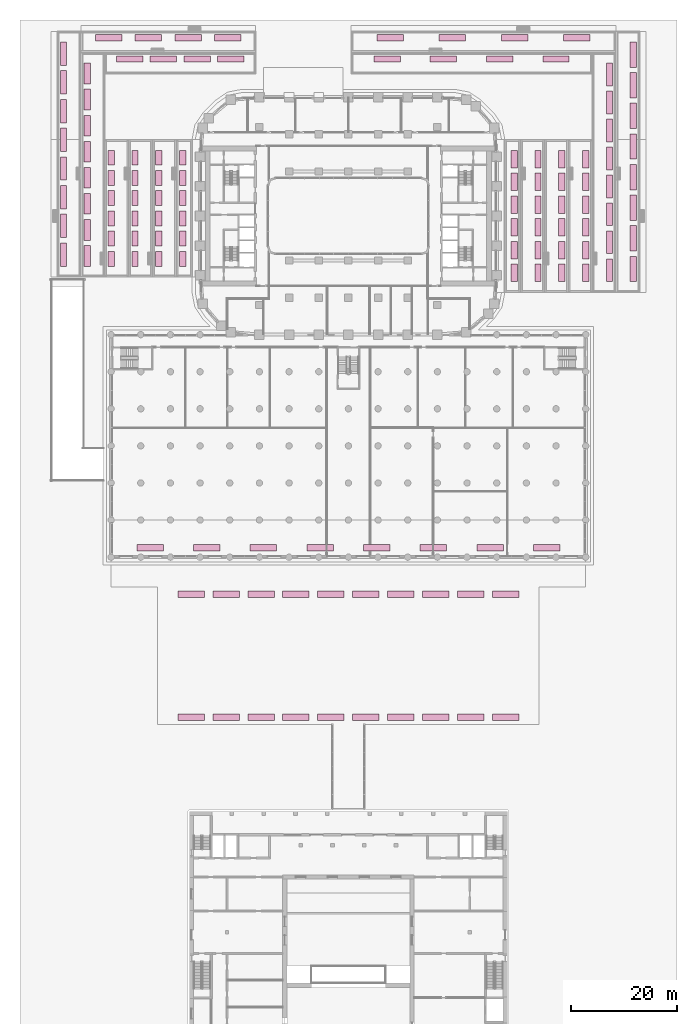
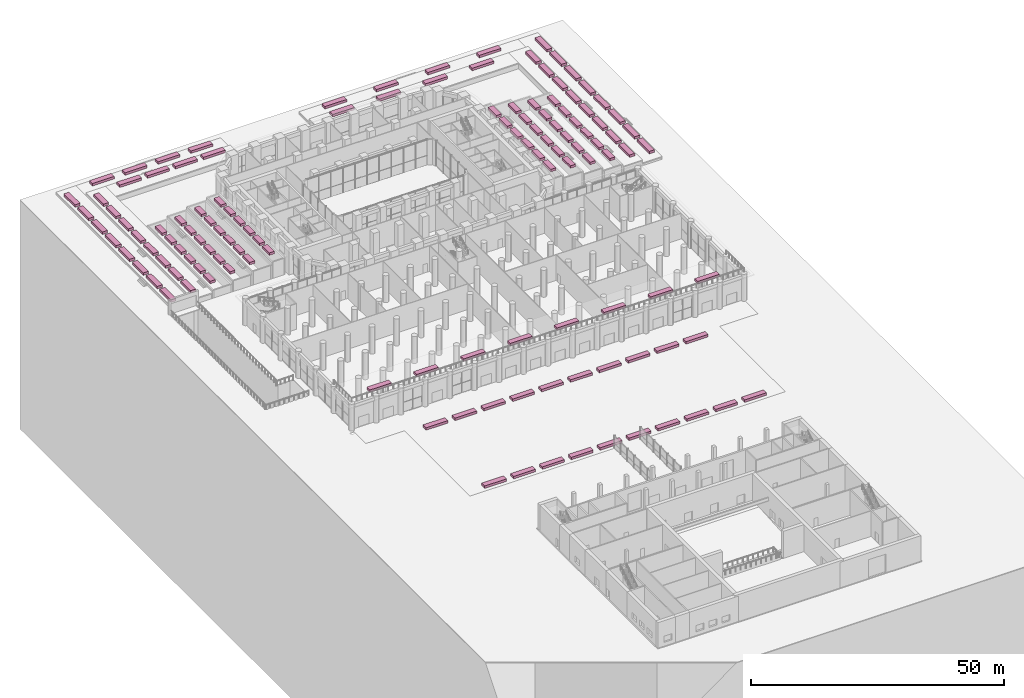
# One storey, part 51 of 51: 124 furnishings.
"""IFC4 building model written with IfcOpenShell, lengths in metres."""

from ifc_helpers import new_model, si_unit, direction, frame, origin, origin_2d, place, context, subcontext, project, spatial, rectangle, extrude, material, type_object, element, save


model = new_model("IFC4")

# Units and contexts
model_context = context("Model", 3, precision=1e-05, world=origin(), true_north=direction((0.0, 1.0)))
body_context = subcontext(model_context, "Body", "Model", "MODEL_VIEW")
ifc_project = project(units=[si_unit("LENGTHUNIT", "METRE"), si_unit("AREAUNIT", "SQUARE_METRE"), si_unit("VOLUMEUNIT", "CUBIC_METRE"), si_unit("PLANEANGLEUNIT", "RADIAN"), si_unit("MASSUNIT", "GRAM", prefix="KILO")], contexts=[model_context])

# Site, building, storey
site_placement = place(None, origin())
site = spatial("IfcSite", under=ifc_project, at=site_placement, CompositionType="ELEMENT")
building_placement = place(site_placement, origin())
building = spatial("IfcBuilding", under=site, at=building_placement, Name="Kiln Ring Residences", CompositionType="ELEMENT")
storey_placement = place(building_placement, origin())
storey = spatial("IfcBuildingStorey", under=building, at=storey_placement, Name="L00", CompositionType="ELEMENT", Elevation=0.0)

# Furnishings
ifc_material = material(Name="Brick masonry, dark clay brick", Category="masonry")
furnishing_element_type = type_object("IfcFurnishingElementType", Name="PLANTER 1200 x 600", material=ifc_material)
for number, where, z_axis, x_axis, name in (
    (1, (-37.449951171875, -62.60009765625, 6.5), (0.0, 0.0, 1.0), (1.0, 0.0, 0.0), "PLANTER L00 1"),
    (2, (-26.75, -62.60009765625, 6.5), (0.0, 0.0, 1.0), (1.0, 0.0, 0.0), "PLANTER L00 2"),
    (3, (-16.050048828125, -62.60009765625, 6.5), (0.0, 0.0, 1.0), (1.0, 0.0, 0.0), "PLANTER L00 3"),
    (4, (-5.35009765625, -62.60009765625, 6.5), (0.0, 0.0, 1.0), (1.0, 0.0, 0.0), "PLANTER L00 4"),
    (5, (5.35009765625, -62.60009765625, 6.5), (0.0, 0.0, 1.0), (1.0, 0.0, 0.0), "PLANTER L00 5"),
    (6, (16.050048828125, -62.60009765625, 6.5), (0.0, 0.0, 1.0), (1.0, 0.0, 0.0), "PLANTER L00 6"),
    (7, (26.75, -62.60009765625, 6.5), (0.0, 0.0, 1.0), (1.0, 0.0, 0.0), "PLANTER L00 7"),
    (8, (37.449951171875, -62.60009765625, 6.5), (0.0, 0.0, 1.0), (1.0, 0.0, 0.0), "PLANTER L00 8"),
    (9, (-29.699951171875, -71.39990234375, 0.0), (0.0, 0.0, 1.0), (1.0, 0.0, 0.0), "PLANTER L00 1"),
    (10, (-23.10009765625, -71.39990234375, 0.0), (0.0, 0.0, 1.0), (1.0, 0.0, 0.0), "PLANTER L00 2"),
    (11, (-16.5, -71.39990234375, 0.0), (0.0, 0.0, 1.0), (1.0, 0.0, 0.0), "PLANTER L00 3"),
    (12, (-9.89990234375, -71.39990234375, 0.0), (0.0, 0.0, 1.0), (1.0, 0.0, 0.0), "PLANTER L00 4"),
    (13, (-3.300048828125, -71.39990234375, 0.0), (0.0, 0.0, 1.0), (1.0, 0.0, 0.0), "PLANTER L00 5"),
    (14, (3.300048828125, -71.39990234375, 0.0), (0.0, 0.0, 1.0), (1.0, 0.0, 0.0), "PLANTER L00 6"),
    (15, (9.89990234375, -71.39990234375, 0.0), (0.0, 0.0, 1.0), (1.0, 0.0, 0.0), "PLANTER L00 7"),
    (16, (16.5, -71.39990234375, 0.0), (0.0, 0.0, 1.0), (1.0, 0.0, 0.0), "PLANTER L00 8"),
    (17, (23.10009765625, -71.39990234375, 0.0), (0.0, 0.0, 1.0), (1.0, 0.0, 0.0), "PLANTER L00 9"),
    (18, (29.699951171875, -71.39990234375, 0.0), (0.0, 0.0, 1.0), (1.0, 0.0, 0.0), "PLANTER L00 10"),
    (19, (-29.699951171875, -94.60009765625, 0.0), (0.0, 0.0, 1.0), (1.0, 0.0, 0.0), "PLANTER L00 1"),
    (20, (-23.10009765625, -94.60009765625, 0.0), (0.0, 0.0, 1.0), (1.0, 0.0, 0.0), "PLANTER L00 2"),
    (21, (-16.5, -94.60009765625, 0.0), (0.0, 0.0, 1.0), (1.0, 0.0, 0.0), "PLANTER L00 3"),
    (22, (-9.89990234375, -94.60009765625, 0.0), (0.0, 0.0, 1.0), (1.0, 0.0, 0.0), "PLANTER L00 4"),
    (23, (-3.300048828125, -94.60009765625, 0.0), (0.0, 0.0, 1.0), (1.0, 0.0, 0.0), "PLANTER L00 5"),
    (24, (3.300048828125, -94.60009765625, 0.0), (0.0, 0.0, 1.0), (1.0, 0.0, 0.0), "PLANTER L00 6"),
    (25, (9.89990234375, -94.60009765625, 0.0), (0.0, 0.0, 1.0), (1.0, 0.0, 0.0), "PLANTER L00 7"),
    (26, (16.5, -94.60009765625, 0.0), (0.0, 0.0, 1.0), (1.0, 0.0, 0.0), "PLANTER L00 8"),
    (27, (23.10009765625, -94.60009765625, 0.0), (0.0, 0.0, 1.0), (1.0, 0.0, 0.0), "PLANTER L00 9"),
    (28, (29.699951171875, -94.60009765625, 0.0), (0.0, 0.0, 1.0), (1.0, 0.0, 0.0), "PLANTER L00 10"),
):
    element("IfcFurnishingElement", number, at=place(storey_placement, frame(where, z_axis=z_axis, x_axis=x_axis)), inside=storey, type_object=furnishing_element_type, Name=name, ObjectType="PLANTER", context=body_context, shape_type="SweptSolid", body=[
        extrude(rectangle(XDim=5.0, YDim=1.199951171875, at=origin_2d()), origin(), (0.0, 0.0, 1.0), 0.60009765625),
    ])
for number, where, z_axis, x_axis, name in (
    (29, (31.300048828125, -10.75, 4.199951171875), (0.0, 0.0, 1.0), (1.0, 0.0, 0.0), "PLANTER L00 1"),
    (30, (31.300048828125, -6.449951171875, 4.199951171875), (0.0, 0.0, 1.0), (1.0, 0.0, 0.0), "PLANTER L00 2"),
    (31, (31.300048828125, -2.14990234375, 4.199951171875), (0.0, 0.0, 1.0), (1.0, 0.0, 0.0), "PLANTER L00 3"),
    (32, (31.300048828125, 2.14990234375, 4.199951171875), (0.0, 0.0, 1.0), (1.0, 0.0, 0.0), "PLANTER L00 4"),
    (33, (31.300048828125, 6.449951171875, 4.199951171875), (0.0, 0.0, 1.0), (1.0, 0.0, 0.0), "PLANTER L00 5"),
    (34, (31.300048828125, 10.75, 4.199951171875), (0.0, 0.0, 1.0), (1.0, 0.0, 0.0), "PLANTER L00 6"),
    (35, (35.800048828125, -10.75, 3.5), (0.0, 0.0, 1.0), (1.0, 0.0, 0.0), "PLANTER L00 1"),
    (36, (35.800048828125, -6.449951171875, 3.5), (0.0, 0.0, 1.0), (1.0, 0.0, 0.0), "PLANTER L00 2"),
    (37, (35.800048828125, -2.14990234375, 3.5), (0.0, 0.0, 1.0), (1.0, 0.0, 0.0), "PLANTER L00 3"),
    (38, (35.800048828125, 2.14990234375, 3.5), (0.0, 0.0, 1.0), (1.0, 0.0, 0.0), "PLANTER L00 4"),
    (39, (35.800048828125, 6.449951171875, 3.5), (0.0, 0.0, 1.0), (1.0, 0.0, 0.0), "PLANTER L00 5"),
    (40, (35.800048828125, 10.75, 3.5), (0.0, 0.0, 1.0), (1.0, 0.0, 0.0), "PLANTER L00 6"),
    (41, (40.300048828125, -10.75, 2.800048828125), (0.0, 0.0, 1.0), (1.0, 0.0, 0.0), "PLANTER L00 1"),
    (42, (40.300048828125, -6.449951171875, 2.800048828125), (0.0, 0.0, 1.0), (1.0, 0.0, 0.0), "PLANTER L00 2"),
    (43, (40.300048828125, -2.14990234375, 2.800048828125), (0.0, 0.0, 1.0), (1.0, 0.0, 0.0), "PLANTER L00 3"),
    (44, (40.300048828125, 2.14990234375, 2.800048828125), (0.0, 0.0, 1.0), (1.0, 0.0, 0.0), "PLANTER L00 4"),
    (45, (40.300048828125, 6.449951171875, 2.800048828125), (0.0, 0.0, 1.0), (1.0, 0.0, 0.0), "PLANTER L00 5"),
    (46, (40.300048828125, 10.75, 2.800048828125), (0.0, 0.0, 1.0), (1.0, 0.0, 0.0), "PLANTER L00 6"),
    (47, (44.800048828125, -10.75, 2.099853515625), (0.0, 0.0, 1.0), (1.0, 0.0, 0.0), "PLANTER L00 1"),
    (48, (44.800048828125, -6.449951171875, 2.099853515625), (0.0, 0.0, 1.0), (1.0, 0.0, 0.0), "PLANTER L00 2"),
    (49, (44.800048828125, -2.14990234375, 2.099853515625), (0.0, 0.0, 1.0), (1.0, 0.0, 0.0), "PLANTER L00 3"),
    (50, (44.800048828125, 2.14990234375, 2.099853515625), (0.0, 0.0, 1.0), (1.0, 0.0, 0.0), "PLANTER L00 4"),
    (51, (44.800048828125, 6.449951171875, 2.099853515625), (0.0, 0.0, 1.0), (1.0, 0.0, 0.0), "PLANTER L00 5"),
    (52, (44.800048828125, 10.75, 2.099853515625), (0.0, 0.0, 1.0), (1.0, 0.0, 0.0), "PLANTER L00 6"),
):
    element("IfcFurnishingElement", number, at=place(storey_placement, frame(where, z_axis=z_axis, x_axis=x_axis)), inside=storey, type_object=furnishing_element_type, Name=name, ObjectType="PLANTER", context=body_context, shape_type="SweptSolid", body=[
        extrude(rectangle(XDim=1.199951171875, YDim=3.300048828125, at=origin_2d()), origin(), (0.0, 0.0, 1.0), 0.60009765625),
    ])
for number, where, z_axis, x_axis, name in (
    (53, (49.300048828125, -10.25927734375, 1.39990234375), (0.0, 0.0, 1.0), (1.0, 0.0, 0.0), "PLANTER L00 1"),
    (54, (49.300048828125, -4.97802734375, 1.39990234375), (0.0, 0.0, 1.0), (1.0, 0.0, 0.0), "PLANTER L00 2"),
    (55, (49.300048828125, 0.30322265625, 1.39990234375), (0.0, 0.0, 1.0), (1.0, 0.0, 0.0), "PLANTER L00 3"),
    (56, (49.300048828125, 5.58447265625, 1.39990234375), (0.0, 0.0, 1.0), (1.0, 0.0, 0.0), "PLANTER L00 4"),
    (57, (49.300048828125, 10.86572265625, 1.39990234375), (0.0, 0.0, 1.0), (1.0, 0.0, 0.0), "PLANTER L00 5"),
    (58, (49.300048828125, 16.14697265625, 1.39990234375), (0.0, 0.0, 1.0), (1.0, 0.0, 0.0), "PLANTER L00 6"),
    (59, (49.300048828125, 21.42822265625, 1.39990234375), (0.0, 0.0, 1.0), (1.0, 0.0, 0.0), "PLANTER L00 7"),
    (60, (49.300048828125, 26.70947265625, 1.39990234375), (0.0, 0.0, 1.0), (1.0, 0.0, 0.0), "PLANTER L00 8"),
):
    element("IfcFurnishingElement", number, at=place(storey_placement, frame(where, z_axis=z_axis, x_axis=x_axis)), inside=storey, type_object=furnishing_element_type, Name=name, ObjectType="PLANTER", context=body_context, shape_type="SweptSolid", body=[
        extrude(rectangle(XDim=1.199951171875, YDim=4.28125, at=origin_2d()), origin(), (0.0, 0.0, 1.0), 0.60009765625),
    ])
for number, where, z_axis, x_axis, name in (
    (61, (53.800048828125, -10.00927734375, 0.699951171875), (0.0, 0.0, 1.0), (1.0, 0.0, 0.0), "PLANTER L00 1"),
    (62, (53.800048828125, -4.22802734375, 0.699951171875), (0.0, 0.0, 1.0), (1.0, 0.0, 0.0), "PLANTER L00 2"),
    (63, (53.800048828125, 1.55322265625, 0.699951171875), (0.0, 0.0, 1.0), (1.0, 0.0, 0.0), "PLANTER L00 3"),
    (64, (53.800048828125, 7.33447265625, 0.699951171875), (0.0, 0.0, 1.0), (1.0, 0.0, 0.0), "PLANTER L00 4"),
    (65, (53.800048828125, 13.11572265625, 0.699951171875), (0.0, 0.0, 1.0), (1.0, 0.0, 0.0), "PLANTER L00 5"),
    (66, (53.800048828125, 18.89697265625, 0.699951171875), (0.0, 0.0, 1.0), (1.0, 0.0, 0.0), "PLANTER L00 6"),
    (67, (53.800048828125, 24.67822265625, 0.699951171875), (0.0, 0.0, 1.0), (1.0, 0.0, 0.0), "PLANTER L00 7"),
    (68, (53.800048828125, 30.45947265625, 0.699951171875), (0.0, 0.0, 1.0), (1.0, 0.0, 0.0), "PLANTER L00 8"),
):
    element("IfcFurnishingElement", number, at=place(storey_placement, frame(where, z_axis=z_axis, x_axis=x_axis)), inside=storey, type_object=furnishing_element_type, Name=name, ObjectType="PLANTER", context=body_context, shape_type="SweptSolid", body=[
        extrude(rectangle(XDim=1.199951171875, YDim=4.78125, at=origin_2d()), origin(), (0.0, 0.0, 1.0), 0.60009765625),
    ])
for number, where, z_axis, x_axis, name in (
    (69, (-31.300048828125, -8.091552734375, 4.199951171875), (0.0, 0.0, 1.0), (1.0, 0.0, 0.0), "PLANTER L00 1"),
    (70, (-31.300048828125, -4.27490234375, 4.199951171875), (0.0, 0.0, 1.0), (1.0, 0.0, 0.0), "PLANTER L00 2"),
    (71, (-31.300048828125, -0.458251953125, 4.199951171875), (0.0, 0.0, 1.0), (1.0, 0.0, 0.0), "PLANTER L00 3"),
    (72, (-31.300048828125, 3.3583984375, 4.199951171875), (0.0, 0.0, 1.0), (1.0, 0.0, 0.0), "PLANTER L00 4"),
    (73, (-31.300048828125, 7.175048828125, 4.199951171875), (0.0, 0.0, 1.0), (1.0, 0.0, 0.0), "PLANTER L00 5"),
    (74, (-31.300048828125, 10.99169921875, 4.199951171875), (0.0, 0.0, 1.0), (1.0, 0.0, 0.0), "PLANTER L00 6"),
    (75, (-35.800048828125, -8.091552734375, 3.5), (0.0, 0.0, 1.0), (1.0, 0.0, 0.0), "PLANTER L00 1"),
    (76, (-35.800048828125, -4.27490234375, 3.5), (0.0, 0.0, 1.0), (1.0, 0.0, 0.0), "PLANTER L00 2"),
    (77, (-35.800048828125, -0.458251953125, 3.5), (0.0, 0.0, 1.0), (1.0, 0.0, 0.0), "PLANTER L00 3"),
    (78, (-35.800048828125, 3.3583984375, 3.5), (0.0, 0.0, 1.0), (1.0, 0.0, 0.0), "PLANTER L00 4"),
    (79, (-35.800048828125, 7.175048828125, 3.5), (0.0, 0.0, 1.0), (1.0, 0.0, 0.0), "PLANTER L00 5"),
    (80, (-35.800048828125, 10.99169921875, 3.5), (0.0, 0.0, 1.0), (1.0, 0.0, 0.0), "PLANTER L00 6"),
    (81, (-40.300048828125, -8.091552734375, 2.800048828125), (0.0, 0.0, 1.0), (1.0, 0.0, 0.0), "PLANTER L00 1"),
    (82, (-40.300048828125, -4.27490234375, 2.800048828125), (0.0, 0.0, 1.0), (1.0, 0.0, 0.0), "PLANTER L00 2"),
    (83, (-40.300048828125, -0.458251953125, 2.800048828125), (0.0, 0.0, 1.0), (1.0, 0.0, 0.0), "PLANTER L00 3"),
    (84, (-40.300048828125, 3.3583984375, 2.800048828125), (0.0, 0.0, 1.0), (1.0, 0.0, 0.0), "PLANTER L00 4"),
    (85, (-40.300048828125, 7.175048828125, 2.800048828125), (0.0, 0.0, 1.0), (1.0, 0.0, 0.0), "PLANTER L00 5"),
    (86, (-40.300048828125, 10.99169921875, 2.800048828125), (0.0, 0.0, 1.0), (1.0, 0.0, 0.0), "PLANTER L00 6"),
    (87, (-44.800048828125, -8.091552734375, 2.099853515625), (0.0, 0.0, 1.0), (1.0, 0.0, 0.0), "PLANTER L00 1"),
    (88, (-44.800048828125, -4.27490234375, 2.099853515625), (0.0, 0.0, 1.0), (1.0, 0.0, 0.0), "PLANTER L00 2"),
    (89, (-44.800048828125, -0.458251953125, 2.099853515625), (0.0, 0.0, 1.0), (1.0, 0.0, 0.0), "PLANTER L00 3"),
    (90, (-44.800048828125, 3.3583984375, 2.099853515625), (0.0, 0.0, 1.0), (1.0, 0.0, 0.0), "PLANTER L00 4"),
    (91, (-44.800048828125, 7.175048828125, 2.099853515625), (0.0, 0.0, 1.0), (1.0, 0.0, 0.0), "PLANTER L00 5"),
    (92, (-44.800048828125, 10.99169921875, 2.099853515625), (0.0, 0.0, 1.0), (1.0, 0.0, 0.0), "PLANTER L00 6"),
):
    element("IfcFurnishingElement", number, at=place(storey_placement, frame(where, z_axis=z_axis, x_axis=x_axis)), inside=storey, type_object=furnishing_element_type, Name=name, ObjectType="PLANTER", context=body_context, shape_type="SweptSolid", body=[
        extrude(rectangle(XDim=1.199951171875, YDim=2.816650390625, at=origin_2d()), origin(), (0.0, 0.0, 1.0), 0.60009765625),
    ])
for number, where, z_axis, x_axis, name in (
    (93, (-49.300048828125, -7.54052734375, 1.39990234375), (0.0, 0.0, 1.0), (1.0, 0.0, 0.0), "PLANTER L00 1"),
    (94, (-49.300048828125, -2.621826171875, 1.39990234375), (0.0, 0.0, 1.0), (1.0, 0.0, 0.0), "PLANTER L00 2"),
    (95, (-49.300048828125, 2.296875, 1.39990234375), (0.0, 0.0, 1.0), (1.0, 0.0, 0.0), "PLANTER L00 3"),
    (96, (-49.300048828125, 7.215576171875, 1.39990234375), (0.0, 0.0, 1.0), (1.0, 0.0, 0.0), "PLANTER L00 4"),
    (97, (-49.300048828125, 12.13427734375, 1.39990234375), (0.0, 0.0, 1.0), (1.0, 0.0, 0.0), "PLANTER L00 5"),
    (98, (-49.300048828125, 17.05322265625, 1.39990234375), (0.0, 0.0, 1.0), (1.0, 0.0, 0.0), "PLANTER L00 6"),
    (99, (-49.300048828125, 21.971923828125, 1.39990234375), (0.0, 0.0, 1.0), (1.0, 0.0, 0.0), "PLANTER L00 7"),
    (100, (-49.300048828125, 26.890625, 1.39990234375), (0.0, 0.0, 1.0), (1.0, 0.0, 0.0), "PLANTER L00 8"),
):
    element("IfcFurnishingElement", number, at=place(storey_placement, frame(where, z_axis=z_axis, x_axis=x_axis)), inside=storey, type_object=furnishing_element_type, Name=name, ObjectType="PLANTER", context=body_context, shape_type="SweptSolid", body=[
        extrude(rectangle(XDim=1.199951171875, YDim=3.918701171875, at=origin_2d()), origin(), (0.0, 0.0, 1.0), 0.60009765625),
    ])
for number, where, z_axis, x_axis, name in (
    (101, (-53.800048828125, -7.29052734375, 0.699951171875), (0.0, 0.0, 1.0), (1.0, 0.0, 0.0), "PLANTER L00 1"),
    (102, (-53.800048828125, -1.871826171875, 0.699951171875), (0.0, 0.0, 1.0), (1.0, 0.0, 0.0), "PLANTER L00 2"),
    (103, (-53.800048828125, 3.546875, 0.699951171875), (0.0, 0.0, 1.0), (1.0, 0.0, 0.0), "PLANTER L00 3"),
    (104, (-53.800048828125, 8.965576171875, 0.699951171875), (0.0, 0.0, 1.0), (1.0, 0.0, 0.0), "PLANTER L00 4"),
    (105, (-53.800048828125, 14.38427734375, 0.699951171875), (0.0, 0.0, 1.0), (1.0, 0.0, 0.0), "PLANTER L00 5"),
    (106, (-53.800048828125, 19.80322265625, 0.699951171875), (0.0, 0.0, 1.0), (1.0, 0.0, 0.0), "PLANTER L00 6"),
    (107, (-53.800048828125, 25.221923828125, 0.699951171875), (0.0, 0.0, 1.0), (1.0, 0.0, 0.0), "PLANTER L00 7"),
    (108, (-53.800048828125, 30.640625, 0.699951171875), (0.0, 0.0, 1.0), (1.0, 0.0, 0.0), "PLANTER L00 8"),
):
    element("IfcFurnishingElement", number, at=place(storey_placement, frame(where, z_axis=z_axis, x_axis=x_axis)), inside=storey, type_object=furnishing_element_type, Name=name, ObjectType="PLANTER", context=body_context, shape_type="SweptSolid", body=[
        extrude(rectangle(XDim=1.199951171875, YDim=4.418701171875, at=origin_2d()), origin(), (0.0, 0.0, 1.0), 0.60009765625),
    ])
for number, where, z_axis, x_axis, name in (
    (109, (-41.3125, 29.64990234375, 1.39990234375), (0.0, 0.0, 1.0), (1.0, 0.0, 0.0), "PLANTER L00 1"),
    (110, (-34.9375, 29.64990234375, 1.39990234375), (0.0, 0.0, 1.0), (1.0, 0.0, 0.0), "PLANTER L00 2"),
    (111, (-28.5625, 29.64990234375, 1.39990234375), (0.0, 0.0, 1.0), (1.0, 0.0, 0.0), "PLANTER L00 3"),
    (112, (-22.1875, 29.64990234375, 1.39990234375), (0.0, 0.0, 1.0), (1.0, 0.0, 0.0), "PLANTER L00 4"),
    (113, (7.3125, 29.64990234375, 1.39990234375), (0.0, 0.0, 1.0), (1.0, 0.0, 0.0), "PLANTER L00 1"),
    (114, (17.9375, 29.64990234375, 1.39990234375), (0.0, 0.0, 1.0), (1.0, 0.0, 0.0), "PLANTER L00 2"),
    (115, (28.5625, 29.64990234375, 1.39990234375), (0.0, 0.0, 1.0), (1.0, 0.0, 0.0), "PLANTER L00 3"),
    (116, (39.1875, 29.64990234375, 1.39990234375), (0.0, 0.0, 1.0), (1.0, 0.0, 0.0), "PLANTER L00 4"),
    (117, (-45.25, 33.64990234375, 0.699951171875), (0.0, 0.0, 1.0), (1.0, 0.0, 0.0), "PLANTER L00 1"),
    (118, (-37.75, 33.64990234375, 0.699951171875), (0.0, 0.0, 1.0), (1.0, 0.0, 0.0), "PLANTER L00 2"),
    (119, (-30.25, 33.64990234375, 0.699951171875), (0.0, 0.0, 1.0), (1.0, 0.0, 0.0), "PLANTER L00 3"),
    (120, (-22.75, 33.64990234375, 0.699951171875), (0.0, 0.0, 1.0), (1.0, 0.0, 0.0), "PLANTER L00 4"),
    (121, (7.875, 33.64990234375, 0.699951171875), (0.0, 0.0, 1.0), (1.0, 0.0, 0.0), "PLANTER L00 1"),
    (122, (19.625, 33.64990234375, 0.699951171875), (0.0, 0.0, 1.0), (1.0, 0.0, 0.0), "PLANTER L00 2"),
    (123, (31.375, 33.64990234375, 0.699951171875), (0.0, 0.0, 1.0), (1.0, 0.0, 0.0), "PLANTER L00 3"),
    (124, (43.125, 33.64990234375, 0.699951171875), (0.0, 0.0, 1.0), (1.0, 0.0, 0.0), "PLANTER L00 4"),
):
    element("IfcFurnishingElement", number, at=place(storey_placement, frame(where, z_axis=z_axis, x_axis=x_axis)), inside=storey, type_object=furnishing_element_type, Name=name, ObjectType="PLANTER", context=body_context, shape_type="SweptSolid", body=[
        extrude(rectangle(XDim=5.0, YDim=1.199951171875, at=origin_2d()), origin(), (0.0, 0.0, 1.0), 0.60009765625),
    ])

save(model, "model.ifc")
